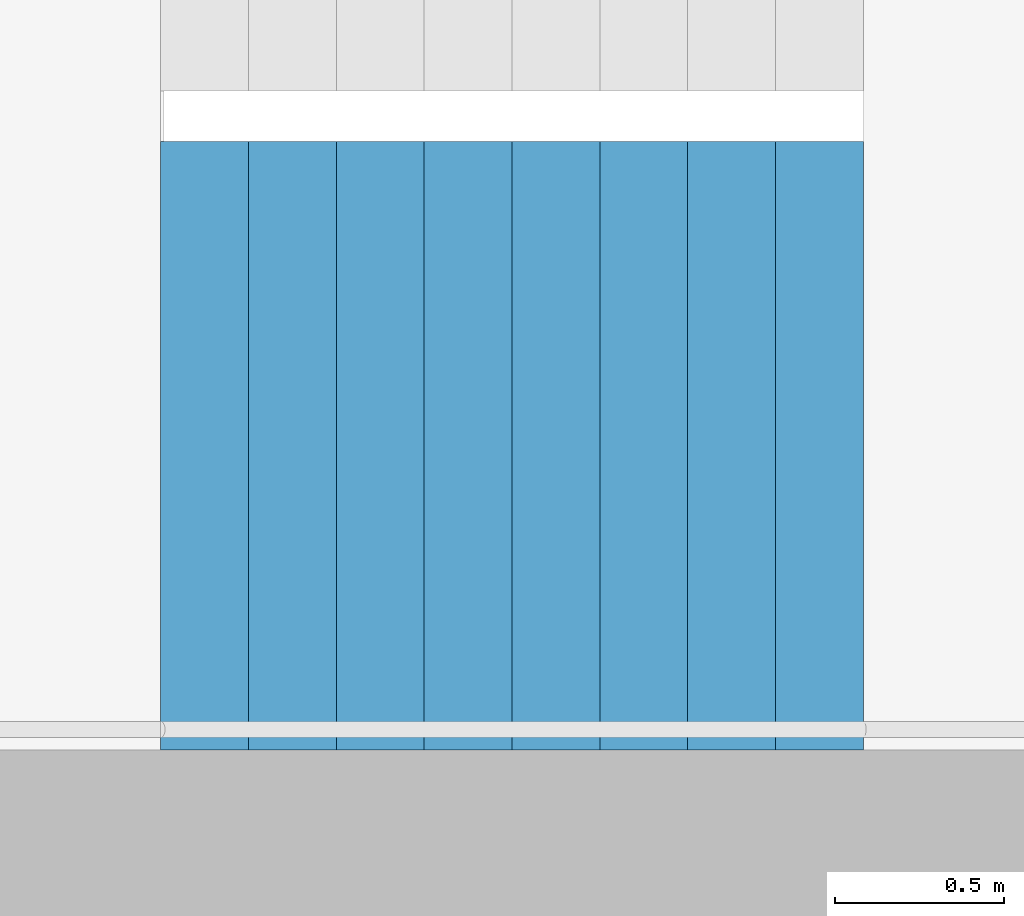
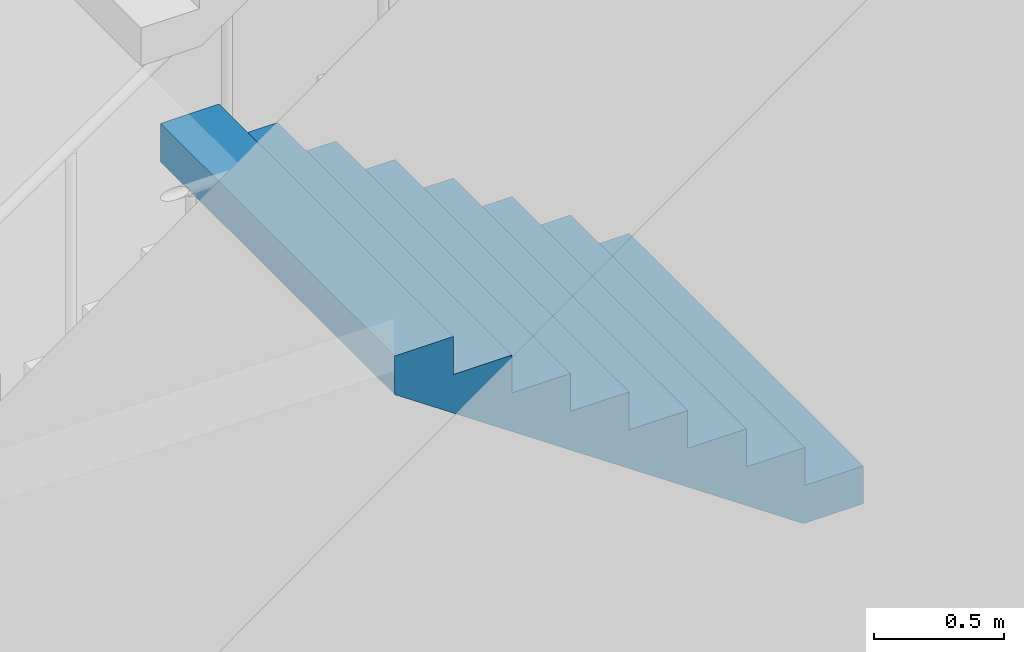
# One storey, part 25 of 43: 1 stair flight, 1 element without a shape of its own.
"""IFC4 building model written with IfcOpenShell, lengths in metres."""

from ifc_helpers import new_model, si_unit, direction, frame, origin, place, context, subcontext, project, spatial, triangles, material, type_object, element, aggregate, save


model = new_model("IFC4")

# Units and contexts
model_context = context("Model", 3, precision=1e-05, world=origin(), true_north=direction((0.0, 1.0)))
body_context = subcontext(model_context, "Body", "Model", "MODEL_VIEW")
ifc_project = project(units=[si_unit("LENGTHUNIT", "METRE"), si_unit("AREAUNIT", "SQUARE_METRE"), si_unit("VOLUMEUNIT", "CUBIC_METRE"), si_unit("PLANEANGLEUNIT", "RADIAN"), si_unit("MASSUNIT", "GRAM", prefix="KILO")], contexts=[model_context])

# Site, building, storey
site_placement = place(None, origin())
site = spatial("IfcSite", under=ifc_project, at=site_placement, CompositionType="ELEMENT")
building_placement = place(site_placement, origin())
building = spatial("IfcBuilding", under=site, at=building_placement, Name="Hakoniwa Tower and Hamabe Station Hall", CompositionType="ELEMENT")
storey_placement = place(building_placement, frame((0.0, 0.0, 124.60009765625)))
storey = spatial("IfcBuildingStorey", under=building, at=storey_placement, Name="L35", CompositionType="ELEMENT", Elevation=124.60009765625)

# Stair, stair flight
ifc_material_1 = material(Name="Concrete C40", Category="concrete")
stair_type = type_object("IfcStairType", Name="ESCAPE STAIR 1800", PredefinedType="HALF_TURN_STAIR", material=ifc_material_1)
stair_placement = place(storey_placement, origin())
stair = element("IfcStair", 1, at=stair_placement, inside=storey, type_object=stair_type, Name="Escape stair ST-4 L35", PredefinedType="HALF_TURN_STAIR")
ifc_material_2 = material(Name="Concrete C40", Category="concrete")
stair_flight_type = type_object("IfcStairFlightType", Name="STAIR FLIGHT 1800", PredefinedType="STRAIGHT", material=ifc_material_2)
stair_flight_placement = place(storey_placement, frame((25.47998046875, -6.60009765625, 1.599853515625), z_axis=(0.0, 0.0, 1.0), x_axis=(-1.0, 0.0, 0.0)))
stair_flight = element("IfcStairFlight", 2, at=stair_flight_placement, type_object=stair_flight_type, Name="ST-4 flight 2", NumberOfRisers=9, NumberOfTreads=8, PredefinedType="STRAIGHT", RiserHeight=0.177777778, TreadLength=0.26, context=body_context, shape_type="Tessellation", body=[
    triangles([(0.0, 0.89990234375, 0.0), (0.260009765625, 0.89990234375, 0.0), (0.265625, 0.89990234375, 0.0), (0.52001953125, 0.89990234375, 0.174072265625), (0.780029296875, 0.89990234375, 0.351806640625), (1.0400390625, 0.89990234375, 0.529541015625), (1.300048828125, 0.89990234375, 0.707275390625), (1.56005859375, 0.89990234375, 0.885009765625), (1.820068359375, 0.89990234375, 1.062744140625), (2.080078125, 0.89990234375, 1.24072265625), (2.080078125, 0.89990234375, 1.422119140625), (1.820068359375, 0.89990234375, 1.422119140625), (1.820068359375, 0.89990234375, 1.244384765625), (1.56005859375, 0.89990234375, 1.244384765625), (1.56005859375, 0.89990234375, 1.066650390625), (1.300048828125, 0.89990234375, 1.066650390625), (1.300048828125, 0.89990234375, 0.888916015625), (1.0400390625, 0.89990234375, 0.888916015625), (1.0400390625, 0.89990234375, 0.711181640625), (0.780029296875, 0.89990234375, 0.711181640625), (0.780029296875, 0.89990234375, 0.533447265625), (0.52001953125, 0.89990234375, 0.533447265625), (0.52001953125, 0.89990234375, 0.35546875), (0.265625, 0.89990234375, 0.35546875), (0.260009765625, 0.89990234375, 0.35546875), (0.260009765625, 0.89990234375, 0.177734375), (0.0, 0.89990234375, 0.177734375), (0.0, 0.06005859375, 0.0), (0.260009765625, 0.06005859375, 0.0), (0.265625, 0.06005859375, 0.0), (0.52001953125, 0.06005859375, 0.174072265625), (0.780029296875, 0.06005859375, 0.351806640625), (1.0400390625, 0.06005859375, 0.529541015625), (1.300048828125, 0.06005859375, 0.707275390625), (1.56005859375, 0.06005859375, 0.885009765625), (1.820068359375, 0.06005859375, 1.062744140625), (2.080078125, 0.06005859375, 1.24072265625), (2.080078125, 0.06005859375, 1.422119140625), (1.820068359375, 0.06005859375, 1.422119140625), (1.820068359375, 0.06005859375, 1.244384765625), (1.56005859375, 0.06005859375, 1.244384765625), (1.56005859375, 0.06005859375, 1.066650390625), (1.300048828125, 0.06005859375, 1.066650390625), (1.300048828125, 0.06005859375, 0.888916015625), (1.0400390625, 0.06005859375, 0.888916015625), (1.0400390625, 0.06005859375, 0.711181640625), (0.780029296875, 0.06005859375, 0.711181640625), (0.780029296875, 0.06005859375, 0.533447265625), (0.52001953125, 0.06005859375, 0.533447265625), (0.52001953125, 0.06005859375, 0.35546875), (0.265625, 0.06005859375, 0.35546875), (0.260009765625, 0.06005859375, 0.35546875), (0.260009765625, 0.06005859375, 0.177734375), (0.0, 0.06005859375, 0.177734375), (0.0, 0.04296875, 0.0), (0.260009765625, 0.04296875, 0.0), (0.265625, 0.04296875, 0.0), (0.52001953125, 0.04296875, 0.174072265625), (0.780029296875, 0.04296875, 0.351806640625), (1.0400390625, 0.04296875, 0.529541015625), (1.300048828125, 0.04296875, 0.707275390625), (1.56005859375, 0.04296875, 0.885009765625), (1.820068359375, 0.04296875, 1.062744140625), (2.080078125, 0.04296875, 1.24072265625), (2.080078125, 0.04296875, 1.422119140625), (1.820068359375, 0.04296875, 1.422119140625), (1.820068359375, 0.04296875, 1.244384765625), (1.56005859375, 0.04296875, 1.244384765625), (1.56005859375, 0.04296875, 1.066650390625), (1.300048828125, 0.04296875, 1.066650390625), (1.300048828125, 0.04296875, 0.888916015625), (1.0400390625, 0.04296875, 0.888916015625), (1.0400390625, 0.04296875, 0.711181640625), (0.780029296875, 0.04296875, 0.711181640625), (0.780029296875, 0.04296875, 0.533447265625), (0.52001953125, 0.04296875, 0.533447265625), (0.52001953125, 0.04296875, 0.35546875), (0.265625, 0.04296875, 0.35546875), (0.260009765625, 0.04296875, 0.35546875), (0.260009765625, 0.04296875, 0.177734375), (0.0, 0.04296875, 0.177734375), (0.0, 0.025634765625, 0.0), (0.260009765625, 0.025634765625, 0.0), (0.265625, 0.025634765625, 0.0), (0.52001953125, 0.025634765625, 0.174072265625), (0.780029296875, 0.025634765625, 0.351806640625), (1.0400390625, 0.025634765625, 0.529541015625), (1.300048828125, 0.025634765625, 0.707275390625), (1.56005859375, 0.025634765625, 0.885009765625), (1.820068359375, 0.025634765625, 1.062744140625), (2.080078125, 0.025634765625, 1.24072265625), (2.080078125, 0.025634765625, 1.422119140625), (1.820068359375, 0.025634765625, 1.422119140625), (1.820068359375, 0.025634765625, 1.244384765625), (1.56005859375, 0.025634765625, 1.244384765625), (1.56005859375, 0.025634765625, 1.066650390625), (1.300048828125, 0.025634765625, 1.066650390625), (1.300048828125, 0.025634765625, 0.888916015625), (1.0400390625, 0.025634765625, 0.888916015625), (1.0400390625, 0.025634765625, 0.711181640625), (0.780029296875, 0.025634765625, 0.711181640625), (0.780029296875, 0.025634765625, 0.533447265625), (0.52001953125, 0.025634765625, 0.533447265625), (0.52001953125, 0.025634765625, 0.35546875), (0.265625, 0.025634765625, 0.35546875), (0.260009765625, 0.025634765625, 0.35546875), (0.260009765625, 0.025634765625, 0.177734375), (0.0, 0.025634765625, 0.177734375), (0.0, 0.008544921875, 0.0), (0.260009765625, 0.008544921875, 0.0), (0.265625, 0.008544921875, 0.0), (0.52001953125, 0.008544921875, 0.174072265625), (0.780029296875, 0.008544921875, 0.351806640625), (1.0400390625, 0.008544921875, 0.529541015625), (1.300048828125, 0.008544921875, 0.707275390625), (1.56005859375, 0.008544921875, 0.885009765625), (1.820068359375, 0.008544921875, 1.062744140625), (2.080078125, 0.008544921875, 1.24072265625), (2.080078125, 0.008544921875, 1.422119140625), (1.820068359375, 0.008544921875, 1.422119140625), (1.820068359375, 0.008544921875, 1.244384765625), (1.56005859375, 0.008544921875, 1.244384765625), (1.56005859375, 0.008544921875, 1.066650390625), (1.300048828125, 0.008544921875, 1.066650390625), (1.300048828125, 0.008544921875, 0.888916015625), (1.0400390625, 0.008544921875, 0.888916015625), (1.0400390625, 0.008544921875, 0.711181640625), (0.780029296875, 0.008544921875, 0.711181640625), (0.780029296875, 0.008544921875, 0.533447265625), (0.52001953125, 0.008544921875, 0.533447265625), (0.52001953125, 0.008544921875, 0.35546875), (0.265625, 0.008544921875, 0.35546875), (0.260009765625, 0.008544921875, 0.35546875), (0.260009765625, 0.008544921875, 0.177734375), (0.0, 0.008544921875, 0.177734375), (0.0, -0.008544921875, 0.0), (0.260009765625, -0.008544921875, 0.0), (0.265625, -0.008544921875, 0.0), (0.52001953125, -0.008544921875, 0.174072265625), (0.780029296875, -0.008544921875, 0.351806640625), (1.0400390625, -0.008544921875, 0.529541015625), (1.300048828125, -0.008544921875, 0.707275390625), (1.56005859375, -0.008544921875, 0.885009765625), (1.820068359375, -0.008544921875, 1.062744140625), (2.080078125, -0.008544921875, 1.24072265625), (2.080078125, -0.008544921875, 1.422119140625), (1.820068359375, -0.008544921875, 1.422119140625), (1.820068359375, -0.008544921875, 1.244384765625), (1.56005859375, -0.008544921875, 1.244384765625), (1.56005859375, -0.008544921875, 1.066650390625), (1.300048828125, -0.008544921875, 1.066650390625), (1.300048828125, -0.008544921875, 0.888916015625), (1.0400390625, -0.008544921875, 0.888916015625), (1.0400390625, -0.008544921875, 0.711181640625), (0.780029296875, -0.008544921875, 0.711181640625), (0.780029296875, -0.008544921875, 0.533447265625), (0.52001953125, -0.008544921875, 0.533447265625), (0.52001953125, -0.008544921875, 0.35546875), (0.265625, -0.008544921875, 0.35546875), (0.260009765625, -0.008544921875, 0.35546875), (0.260009765625, -0.008544921875, 0.177734375), (0.0, -0.008544921875, 0.177734375), (0.0, -0.025634765625, 0.0), (0.260009765625, -0.025634765625, 0.0), (0.265625, -0.025634765625, 0.0), (0.52001953125, -0.025634765625, 0.174072265625), (0.780029296875, -0.025634765625, 0.351806640625), (1.0400390625, -0.025634765625, 0.529541015625), (1.300048828125, -0.025634765625, 0.707275390625), (1.56005859375, -0.025634765625, 0.885009765625), (1.820068359375, -0.025634765625, 1.062744140625), (2.080078125, -0.025634765625, 1.24072265625), (2.080078125, -0.025634765625, 1.422119140625), (1.820068359375, -0.025634765625, 1.422119140625), (1.820068359375, -0.025634765625, 1.244384765625), (1.56005859375, -0.025634765625, 1.244384765625), (1.56005859375, -0.025634765625, 1.066650390625), (1.300048828125, -0.025634765625, 1.066650390625), (1.300048828125, -0.025634765625, 0.888916015625), (1.0400390625, -0.025634765625, 0.888916015625), (1.0400390625, -0.025634765625, 0.711181640625), (0.780029296875, -0.025634765625, 0.711181640625), (0.780029296875, -0.025634765625, 0.533447265625), (0.52001953125, -0.025634765625, 0.533447265625), (0.52001953125, -0.025634765625, 0.35546875), (0.265625, -0.025634765625, 0.35546875), (0.260009765625, -0.025634765625, 0.35546875), (0.260009765625, -0.025634765625, 0.177734375), (0.0, -0.025634765625, 0.177734375), (0.0, -0.04296875, 0.0), (0.260009765625, -0.04296875, 0.0), (0.265625, -0.04296875, 0.0), (0.52001953125, -0.04296875, 0.174072265625), (0.780029296875, -0.04296875, 0.351806640625), (1.0400390625, -0.04296875, 0.529541015625), (1.300048828125, -0.04296875, 0.707275390625), (1.56005859375, -0.04296875, 0.885009765625), (1.820068359375, -0.04296875, 1.062744140625), (2.080078125, -0.04296875, 1.24072265625), (2.080078125, -0.04296875, 1.422119140625), (1.820068359375, -0.04296875, 1.422119140625), (1.820068359375, -0.04296875, 1.244384765625), (1.56005859375, -0.04296875, 1.244384765625), (1.56005859375, -0.04296875, 1.066650390625), (1.300048828125, -0.04296875, 1.066650390625), (1.300048828125, -0.04296875, 0.888916015625), (1.0400390625, -0.04296875, 0.888916015625), (1.0400390625, -0.04296875, 0.711181640625), (0.780029296875, -0.04296875, 0.711181640625), (0.780029296875, -0.04296875, 0.533447265625), (0.52001953125, -0.04296875, 0.533447265625), (0.52001953125, -0.04296875, 0.35546875), (0.265625, -0.04296875, 0.35546875), (0.260009765625, -0.04296875, 0.35546875), (0.260009765625, -0.04296875, 0.177734375), (0.0, -0.04296875, 0.177734375), (0.0, -0.06005859375, 0.0), (0.260009765625, -0.06005859375, 0.0), (0.265625, -0.06005859375, 0.0), (0.52001953125, -0.06005859375, 0.174072265625), (0.780029296875, -0.06005859375, 0.351806640625), (1.0400390625, -0.06005859375, 0.529541015625), (1.300048828125, -0.06005859375, 0.707275390625), (1.56005859375, -0.06005859375, 0.885009765625), (1.820068359375, -0.06005859375, 1.062744140625), (2.080078125, -0.06005859375, 1.24072265625), (2.080078125, -0.06005859375, 1.422119140625), (1.820068359375, -0.06005859375, 1.422119140625), (1.820068359375, -0.06005859375, 1.244384765625), (1.56005859375, -0.06005859375, 1.244384765625), (1.56005859375, -0.06005859375, 1.066650390625), (1.300048828125, -0.06005859375, 1.066650390625), (1.300048828125, -0.06005859375, 0.888916015625), (1.0400390625, -0.06005859375, 0.888916015625), (1.0400390625, -0.06005859375, 0.711181640625), (0.780029296875, -0.06005859375, 0.711181640625), (0.780029296875, -0.06005859375, 0.533447265625), (0.52001953125, -0.06005859375, 0.533447265625), (0.52001953125, -0.06005859375, 0.35546875), (0.265625, -0.06005859375, 0.35546875), (0.260009765625, -0.06005859375, 0.35546875), (0.260009765625, -0.06005859375, 0.177734375), (0.0, -0.06005859375, 0.177734375), (0.0, -0.89990234375, 0.0), (0.260009765625, -0.89990234375, 0.0), (0.265625, -0.89990234375, 0.0), (0.52001953125, -0.89990234375, 0.174072265625), (0.780029296875, -0.89990234375, 0.351806640625), (1.0400390625, -0.89990234375, 0.529541015625), (1.300048828125, -0.89990234375, 0.707275390625), (1.56005859375, -0.89990234375, 0.885009765625), (1.820068359375, -0.89990234375, 1.062744140625), (2.080078125, -0.89990234375, 1.24072265625), (2.080078125, -0.89990234375, 1.422119140625), (1.820068359375, -0.89990234375, 1.422119140625), (1.820068359375, -0.89990234375, 1.244384765625), (1.56005859375, -0.89990234375, 1.244384765625), (1.56005859375, -0.89990234375, 1.066650390625), (1.300048828125, -0.89990234375, 1.066650390625), (1.300048828125, -0.89990234375, 0.888916015625), (1.0400390625, -0.89990234375, 0.888916015625), (1.0400390625, -0.89990234375, 0.711181640625), (0.780029296875, -0.89990234375, 0.711181640625), (0.780029296875, -0.89990234375, 0.533447265625), (0.52001953125, -0.89990234375, 0.533447265625), (0.52001953125, -0.89990234375, 0.35546875), (0.265625, -0.89990234375, 0.35546875), (0.260009765625, -0.89990234375, 0.35546875), (0.260009765625, -0.89990234375, 0.177734375), (0.0, -0.89990234375, 0.177734375)], [[2, 27, 26], [245, 269, 270], [2, 1, 27], [245, 270, 244], [3, 25, 24], [246, 267, 268], [3, 26, 25], [246, 268, 269], [3, 2, 26], [246, 269, 245], [4, 24, 23], [247, 266, 267], [4, 3, 24], [247, 267, 246], [5, 22, 21], [248, 264, 265], [5, 23, 22], [248, 265, 266], [5, 4, 23], [248, 266, 247], [6, 20, 19], [249, 262, 263], [6, 21, 20], [249, 263, 264], [6, 5, 21], [249, 264, 248], [7, 18, 17], [250, 260, 261], [7, 19, 18], [250, 261, 262], [7, 6, 19], [250, 262, 249], [8, 16, 15], [251, 258, 259], [8, 17, 16], [251, 259, 260], [8, 7, 17], [251, 260, 250], [9, 14, 13], [252, 256, 257], [9, 15, 14], [252, 257, 258], [9, 8, 15], [252, 258, 251], [10, 12, 11], [253, 254, 255], [10, 13, 12], [253, 255, 256], [10, 9, 13], [253, 256, 252], [1, 2, 29], [1, 29, 28], [28, 29, 56], [28, 56, 55], [55, 56, 83], [55, 83, 82], [82, 83, 110], [82, 110, 109], [109, 110, 137], [109, 137, 136], [136, 137, 164], [136, 164, 163], [163, 164, 191], [163, 191, 190], [190, 191, 218], [190, 218, 217], [217, 218, 245], [217, 245, 244], [2, 3, 30], [2, 30, 29], [29, 30, 57], [29, 57, 56], [56, 57, 84], [56, 84, 83], [83, 84, 111], [83, 111, 110], [110, 111, 138], [110, 138, 137], [137, 138, 165], [137, 165, 164], [164, 165, 192], [164, 192, 191], [191, 192, 219], [191, 219, 218], [218, 219, 246], [218, 246, 245], [3, 4, 31], [3, 31, 30], [30, 31, 58], [30, 58, 57], [57, 58, 85], [57, 85, 84], [84, 85, 112], [84, 112, 111], [111, 112, 139], [111, 139, 138], [138, 139, 166], [138, 166, 165], [165, 166, 193], [165, 193, 192], [192, 193, 220], [192, 220, 219], [219, 220, 247], [219, 247, 246], [4, 5, 32], [4, 32, 31], [31, 32, 59], [31, 59, 58], [58, 59, 86], [58, 86, 85], [85, 86, 113], [85, 113, 112], [112, 113, 140], [112, 140, 139], [139, 140, 167], [139, 167, 166], [166, 167, 194], [166, 194, 193], [193, 194, 221], [193, 221, 220], [220, 221, 248], [220, 248, 247], [5, 6, 33], [5, 33, 32], [32, 33, 60], [32, 60, 59], [59, 60, 87], [59, 87, 86], [86, 87, 114], [86, 114, 113], [113, 114, 141], [113, 141, 140], [140, 141, 168], [140, 168, 167], [167, 168, 195], [167, 195, 194], [194, 195, 222], [194, 222, 221], [221, 222, 249], [221, 249, 248], [6, 7, 34], [6, 34, 33], [33, 34, 61], [33, 61, 60], [60, 61, 88], [60, 88, 87], [87, 88, 115], [87, 115, 114], [114, 115, 142], [114, 142, 141], [141, 142, 169], [141, 169, 168], [168, 169, 196], [168, 196, 195], [195, 196, 223], [195, 223, 222], [222, 223, 250], [222, 250, 249], [7, 8, 35], [7, 35, 34], [34, 35, 62], [34, 62, 61], [61, 62, 89], [61, 89, 88], [88, 89, 116], [88, 116, 115], [115, 116, 143], [115, 143, 142], [142, 143, 170], [142, 170, 169], [169, 170, 197], [169, 197, 196], [196, 197, 224], [196, 224, 223], [223, 224, 251], [223, 251, 250], [8, 9, 36], [8, 36, 35], [35, 36, 63], [35, 63, 62], [62, 63, 90], [62, 90, 89], [89, 90, 117], [89, 117, 116], [116, 117, 144], [116, 144, 143], [143, 144, 171], [143, 171, 170], [170, 171, 198], [170, 198, 197], [197, 198, 225], [197, 225, 224], [224, 225, 252], [224, 252, 251], [9, 10, 37], [9, 37, 36], [36, 37, 64], [36, 64, 63], [63, 64, 91], [63, 91, 90], [90, 91, 118], [90, 118, 117], [117, 118, 145], [117, 145, 144], [144, 145, 172], [144, 172, 171], [171, 172, 199], [171, 199, 198], [198, 199, 226], [198, 226, 225], [225, 226, 253], [225, 253, 252], [10, 11, 38], [10, 38, 37], [37, 38, 65], [37, 65, 64], [64, 65, 92], [64, 92, 91], [91, 92, 119], [91, 119, 118], [118, 119, 146], [118, 146, 145], [145, 146, 173], [145, 173, 172], [172, 173, 200], [172, 200, 199], [199, 200, 227], [199, 227, 226], [226, 227, 254], [226, 254, 253], [11, 12, 39], [11, 39, 38], [38, 39, 66], [38, 66, 65], [65, 66, 93], [65, 93, 92], [92, 93, 120], [92, 120, 119], [119, 120, 147], [119, 147, 146], [146, 147, 174], [146, 174, 173], [173, 174, 201], [173, 201, 200], [200, 201, 228], [200, 228, 227], [227, 228, 255], [227, 255, 254], [12, 13, 40], [12, 40, 39], [39, 40, 67], [39, 67, 66], [66, 67, 94], [66, 94, 93], [93, 94, 121], [93, 121, 120], [120, 121, 148], [120, 148, 147], [147, 148, 175], [147, 175, 174], [174, 175, 202], [174, 202, 201], [201, 202, 229], [201, 229, 228], [228, 229, 256], [228, 256, 255], [13, 14, 41], [13, 41, 40], [40, 41, 68], [40, 68, 67], [67, 68, 95], [67, 95, 94], [94, 95, 122], [94, 122, 121], [121, 122, 149], [121, 149, 148], [148, 149, 176], [148, 176, 175], [175, 176, 203], [175, 203, 202], [202, 203, 230], [202, 230, 229], [229, 230, 257], [229, 257, 256], [14, 15, 42], [14, 42, 41], [41, 42, 69], [41, 69, 68], [68, 69, 96], [68, 96, 95], [95, 96, 123], [95, 123, 122], [122, 123, 150], [122, 150, 149], [149, 150, 177], [149, 177, 176], [176, 177, 204], [176, 204, 203], [203, 204, 231], [203, 231, 230], [230, 231, 258], [230, 258, 257], [15, 16, 43], [15, 43, 42], [42, 43, 70], [42, 70, 69], [69, 70, 97], [69, 97, 96], [96, 97, 124], [96, 124, 123], [123, 124, 151], [123, 151, 150], [150, 151, 178], [150, 178, 177], [177, 178, 205], [177, 205, 204], [204, 205, 232], [204, 232, 231], [231, 232, 259], [231, 259, 258], [16, 17, 44], [16, 44, 43], [43, 44, 71], [43, 71, 70], [70, 71, 98], [70, 98, 97], [97, 98, 125], [97, 125, 124], [124, 125, 152], [124, 152, 151], [151, 152, 179], [151, 179, 178], [178, 179, 206], [178, 206, 205], [205, 206, 233], [205, 233, 232], [232, 233, 260], [232, 260, 259], [17, 18, 45], [17, 45, 44], [44, 45, 72], [44, 72, 71], [71, 72, 99], [71, 99, 98], [98, 99, 126], [98, 126, 125], [125, 126, 153], [125, 153, 152], [152, 153, 180], [152, 180, 179], [179, 180, 207], [179, 207, 206], [206, 207, 234], [206, 234, 233], [233, 234, 261], [233, 261, 260], [18, 19, 46], [18, 46, 45], [45, 46, 73], [45, 73, 72], [72, 73, 100], [72, 100, 99], [99, 100, 127], [99, 127, 126], [126, 127, 154], [126, 154, 153], [153, 154, 181], [153, 181, 180], [180, 181, 208], [180, 208, 207], [207, 208, 235], [207, 235, 234], [234, 235, 262], [234, 262, 261], [19, 20, 47], [19, 47, 46], [46, 47, 74], [46, 74, 73], [73, 74, 101], [73, 101, 100], [100, 101, 128], [100, 128, 127], [127, 128, 155], [127, 155, 154], [154, 155, 182], [154, 182, 181], [181, 182, 209], [181, 209, 208], [208, 209, 236], [208, 236, 235], [235, 236, 263], [235, 263, 262], [20, 21, 48], [20, 48, 47], [47, 48, 75], [47, 75, 74], [74, 75, 102], [74, 102, 101], [101, 102, 129], [101, 129, 128], [128, 129, 156], [128, 156, 155], [155, 156, 183], [155, 183, 182], [182, 183, 210], [182, 210, 209], [209, 210, 237], [209, 237, 236], [236, 237, 264], [236, 264, 263], [21, 22, 49], [21, 49, 48], [48, 49, 76], [48, 76, 75], [75, 76, 103], [75, 103, 102], [102, 103, 130], [102, 130, 129], [129, 130, 157], [129, 157, 156], [156, 157, 184], [156, 184, 183], [183, 184, 211], [183, 211, 210], [210, 211, 238], [210, 238, 237], [237, 238, 265], [237, 265, 264], [22, 23, 50], [22, 50, 49], [49, 50, 77], [49, 77, 76], [76, 77, 104], [76, 104, 103], [103, 104, 131], [103, 131, 130], [130, 131, 158], [130, 158, 157], [157, 158, 185], [157, 185, 184], [184, 185, 212], [184, 212, 211], [211, 212, 239], [211, 239, 238], [238, 239, 266], [238, 266, 265], [23, 24, 51], [23, 51, 50], [50, 51, 78], [50, 78, 77], [77, 78, 105], [77, 105, 104], [104, 105, 132], [104, 132, 131], [131, 132, 159], [131, 159, 158], [158, 159, 186], [158, 186, 185], [185, 186, 213], [185, 213, 212], [212, 213, 240], [212, 240, 239], [239, 240, 267], [239, 267, 266], [24, 25, 52], [24, 52, 51], [51, 52, 79], [51, 79, 78], [78, 79, 106], [78, 106, 105], [105, 106, 133], [105, 133, 132], [132, 133, 160], [132, 160, 159], [159, 160, 187], [159, 187, 186], [186, 187, 214], [186, 214, 213], [213, 214, 241], [213, 241, 240], [240, 241, 268], [240, 268, 267], [25, 26, 53], [25, 53, 52], [52, 53, 80], [52, 80, 79], [79, 80, 107], [79, 107, 106], [106, 107, 134], [106, 134, 133], [133, 134, 161], [133, 161, 160], [160, 161, 188], [160, 188, 187], [187, 188, 215], [187, 215, 214], [214, 215, 242], [214, 242, 241], [241, 242, 269], [241, 269, 268], [26, 27, 54], [26, 54, 53], [53, 54, 81], [53, 81, 80], [80, 81, 108], [80, 108, 107], [107, 108, 135], [107, 135, 134], [134, 135, 162], [134, 162, 161], [161, 162, 189], [161, 189, 188], [188, 189, 216], [188, 216, 215], [215, 216, 243], [215, 243, 242], [242, 243, 270], [242, 270, 269], [27, 1, 28], [27, 28, 54], [54, 28, 55], [54, 55, 81], [81, 55, 82], [81, 82, 108], [108, 82, 109], [108, 109, 135], [135, 109, 136], [135, 136, 162], [162, 136, 163], [162, 163, 189], [189, 163, 190], [189, 190, 216], [216, 190, 217], [216, 217, 243], [243, 217, 244], [243, 244, 270]], closed=True),
])
aggregate(stair, [stair_flight])

save(model, "model.ifc")
